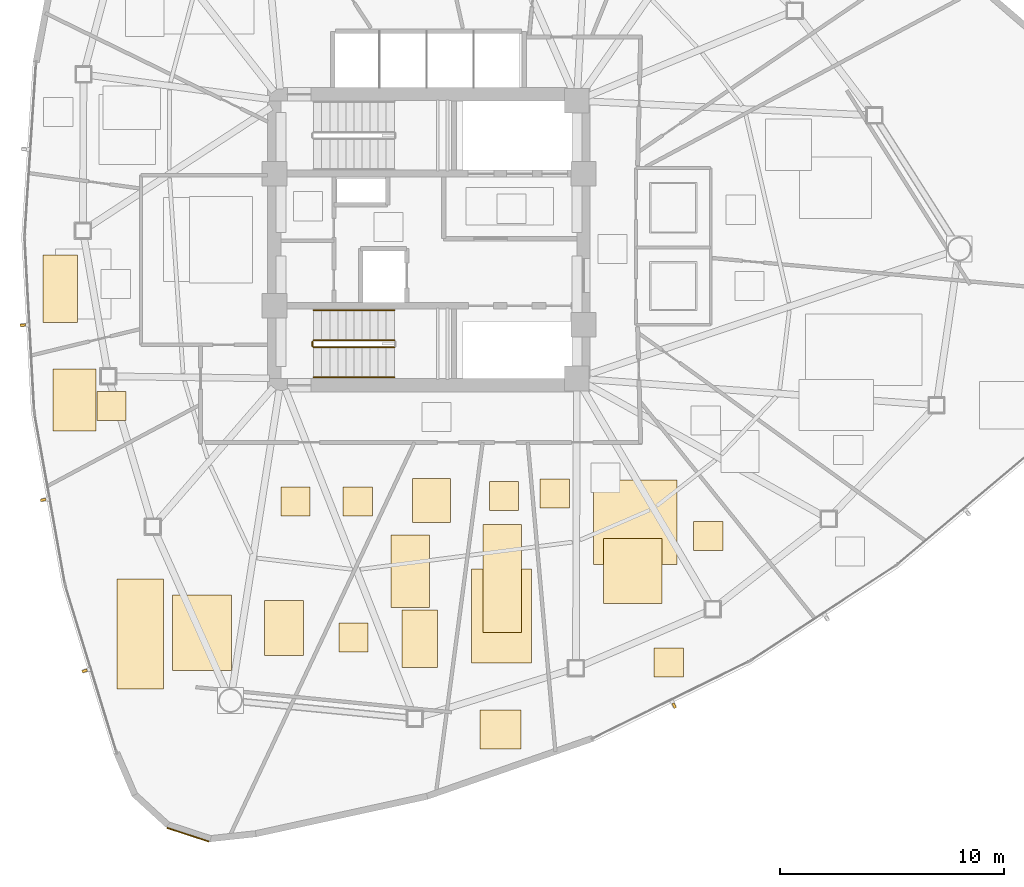
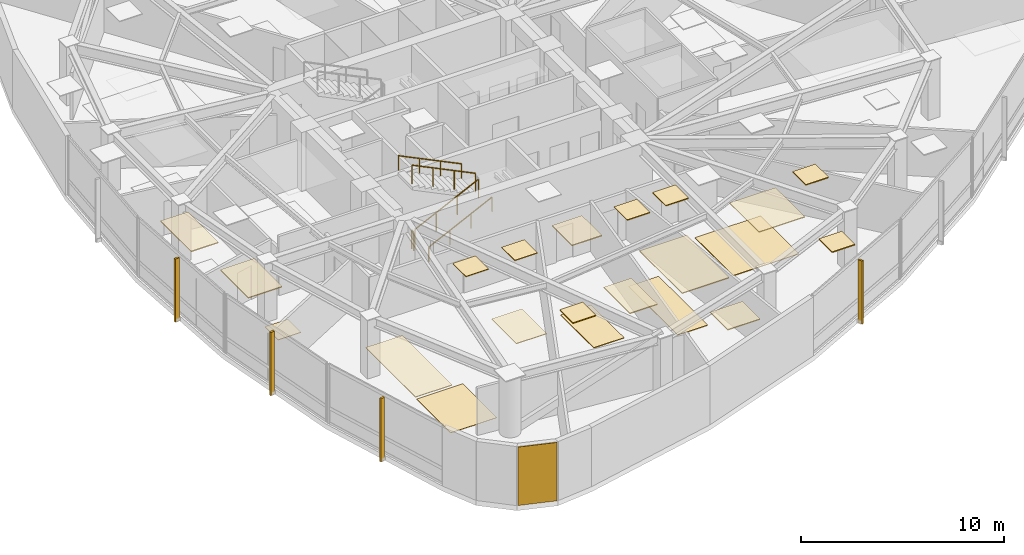
# One storey, part 15 of 18: 22 coverings, 5 railings, 4 shading devices.
"""IFC4 building model written with IfcOpenShell, lengths in metres."""

from ifc_helpers import new_model, si_unit, direction, frame, origin, origin_2d, place, context, subcontext, project, spatial, polyline, rectangle, outline, extrude, source, transform, mapped, material, layer, layer_set, type_object, type_shapes, element, save


model = new_model("IFC4")

# Units and contexts
model_context = context("Model", 3, precision=1e-05, world=origin(), true_north=direction((0.0, 1.0)))
body_context = subcontext(model_context, "Body", "Model", "MODEL_VIEW")
ifc_project = project(units=[si_unit("LENGTHUNIT", "METRE"), si_unit("AREAUNIT", "SQUARE_METRE"), si_unit("VOLUMEUNIT", "CUBIC_METRE"), si_unit("PLANEANGLEUNIT", "RADIAN"), si_unit("MASSUNIT", "GRAM", prefix="KILO")], contexts=[model_context])

# Site, building, storey
site_placement = place(None, origin())
site = spatial("IfcSite", under=ifc_project, at=site_placement, CompositionType="ELEMENT")
building_placement = place(site_placement, origin())
building = spatial("IfcBuilding", under=site, at=building_placement, Name="Tavelor Broadcast Tower", CompositionType="ELEMENT")
storey_placement = place(building_placement, frame((0.0, 0.0, 157.949951171875)))
storey = spatial("IfcBuildingStorey", under=building, at=storey_placement, Name="L37", CompositionType="ELEMENT", Elevation=157.949951171875)

# Covering
ifc_material_1 = material(Name="Copper-Bronze Anodized Aluminium", Category="aluminium")
ifc_layer_1 = layer(ifc_material_1, 0.050048828125)
ifc_layer_set_1 = layer_set([ifc_layer_1], Name="Copper-Bronze Anodized Aluminium")
covering_type_1 = type_object("IfcCoveringType", Name="Champagne-Bronze Corner Pier Metal Cladding 50 mm", PredefinedType="CLADDING", material=ifc_layer_set_1)
covering_1_placement = place(storey_placement, frame((39.242431640625, 18.431396484375, 0.02001953125), z_axis=(0.0, 0.0, 1.0), x_axis=(0.950244253402, -0.311505792684, 0.0)))
element("IfcCovering", 1, at=covering_1_placement, inside=storey, type_object=covering_type_1, Name="L37 Champagne-Bronze Corner Cladding 13", PredefinedType="CLADDING", context=body_context, shape_type="SweptSolid", body=[
    extrude(rectangle(XDim=1.962646484375, YDim=0.050048828125, at=origin_2d()), origin(), (0.0, 0.0, 1.0), 3.510009765625),
])

# Railings
ifc_material_2 = material(Name="Steel S355", Category="steel")
railing_type_1 = type_object("IfcRailingType", Name="Continuous Brushed Stainless Handrail 900 mm", PredefinedType="HANDRAIL", material=ifc_material_2)
railing_1_placement = place(storey_placement, frame((44.85009765625, 38.85009765625, 0.175048828125)))
element("IfcRailing", 2, at=railing_1_placement, inside=storey, type_object=railing_type_1, Name="L37 ST2 stair handrail 1", PredefinedType="HANDRAIL", context=body_context, shape_type="SweptSolid", body=[
    extrude(rectangle(XDim=0.048095703125, YDim=0.048095703125, at=origin_2d()), frame((0.0, 0.0, 0.8759765625), z_axis=(0.899360859046, 0.0, 0.437207096483), x_axis=(0.0, 1.0, 0.0)), (0.0, 0.0, 1.0), 4.002685546875),
    extrude(rectangle(XDim=0.0419921875, YDim=0.0419921875, at=origin_2d()), origin(), (0.0, 0.0, 1.0), 0.851806640625),
    extrude(rectangle(XDim=0.0419921875, YDim=0.0419921875, at=origin_2d()), frame((1.199951171875, 0.0, 0.583251953125)), (0.0, 0.0, 1.0), 0.851806640625),
    extrude(rectangle(XDim=0.0419921875, YDim=0.0419921875, at=origin_2d()), frame((2.39990234375, 0.0, 1.166748046875)), (0.0, 0.0, 1.0), 0.851806640625),
    extrude(rectangle(XDim=0.0419921875, YDim=0.0419921875, at=origin_2d()), frame((3.599853515625, 0.0, 1.75)), (0.0, 0.0, 1.0), 0.851806640625),
])
railing_2_placement = place(storey_placement, frame((48.449951171875, 41.85009765625, 2.10009765625)))
element("IfcRailing", 3, at=railing_2_placement, inside=storey, type_object=railing_type_1, Name="L37 ST2 stair handrail 2", PredefinedType="HANDRAIL", context=body_context, shape_type="SweptSolid", body=[
    extrude(rectangle(XDim=0.048095703125, YDim=0.048095703125, at=origin_2d()), frame((0.0, 0.0, 0.8759765625), z_axis=(-0.899360859046, 0.0, 0.437207096483), x_axis=(0.0, -1.0, 0.0)), (0.0, 0.0, 1.0), 4.002685546875),
    extrude(rectangle(XDim=0.0419921875, YDim=0.0419921875, at=origin_2d()), origin(), (0.0, 0.0, 1.0), 0.851806640625),
    extrude(rectangle(XDim=0.0419921875, YDim=0.0419921875, at=origin_2d()), frame((-1.199951171875, 0.0, 0.583251953125)), (0.0, 0.0, 1.0), 0.851806640625),
    extrude(rectangle(XDim=0.0419921875, YDim=0.0419921875, at=origin_2d()), frame((-2.39990234375, 0.0, 1.166748046875)), (0.0, 0.0, 1.0), 0.851806640625),
    extrude(rectangle(XDim=0.0419921875, YDim=0.0419921875, at=origin_2d()), frame((-3.599853515625, 0.0, 1.75)), (0.0, 0.0, 1.0), 0.851806640625),
])

# Coverings
ifc_material_3 = material(Name="Acoustic Nylon Carpet Tile")
ifc_layer_2 = layer(ifc_material_3, 0.02001953125)
ifc_layer_set_2 = layer_set([ifc_layer_2], Name="Acoustic Nylon Carpet Tile")
covering_type_2 = type_object("IfcCoveringType", Name="Heavy-Duty Acoustic Broadcast Carpet Tile 20 mm", PredefinedType="FLOORING", material=ifc_layer_set_2)
covering_2_placement = place(storey_placement, origin())
element("IfcCovering", 4, at=covering_2_placement, inside=storey, type_object=covering_type_2, Name="L37 Broadcast Floor Finish 0545", PredefinedType="FLOORING", context=body_context, shape_type="SweptSolid", body=[
    extrude(outline(polyline([(38.545654296875, 25.772705078125), (41.174560546875, 25.772705078125), (41.174560546875, 29.132080078125), (38.545654296875, 29.132080078125), (38.545654296875, 25.772705078125)])), origin(), (0.0, 0.0, 1.0), 0.02001953125),
])
ifc_material_4 = material(Name="Acoustic Hardwood Studio Flooring", Category="wood")
ifc_layer_3 = layer(ifc_material_4, 0.034912109375)
ifc_layer_set_3 = layer_set([ifc_layer_3], Name="Acoustic Hardwood Studio Flooring")
covering_type_3 = type_object("IfcCoveringType", Name="Isolated Studio Acoustic Elastomeric Floor Finish 35 mm", PredefinedType="FLOORING", material=ifc_layer_set_3)
covering_3_placement = place(storey_placement, origin())
element("IfcCovering", 5, at=covering_3_placement, inside=storey, type_object=covering_type_3, Name="L37 Broadcast Floor Finish 0542", PredefinedType="FLOORING", context=body_context, shape_type="SweptSolid", body=[
    extrude(outline(polyline([(57.33740234375, 30.497802734375), (61.073486328125, 30.497802734375), (61.073486328125, 34.26025390625), (57.33740234375, 34.26025390625), (57.33740234375, 30.497802734375)])), origin(), (0.0, 0.0, 1.0), 0.03515625),
])
covering_4_placement = place(storey_placement, origin())
element("IfcCovering", 6, at=covering_4_placement, inside=storey, type_object=covering_type_3, Name="L37 Broadcast Floor Finish 0543", PredefinedType="FLOORING", context=body_context, shape_type="SweptSolid", body=[
    extrude(outline(polyline([(52.4169921875, 27.44921875), (54.126708984375, 27.44921875), (54.126708984375, 32.284423828125), (52.4169921875, 32.284423828125), (52.4169921875, 27.44921875)])), origin(), (0.0, 0.0, 1.0), 0.03515625),
])
covering_5_placement = place(storey_placement, origin())
element("IfcCovering", 7, at=covering_5_placement, inside=storey, type_object=covering_type_3, Name="L37 Broadcast Floor Finish 0544", PredefinedType="FLOORING", context=body_context, shape_type="SweptSolid", body=[
    extrude(outline(polyline([(48.293701171875, 28.565185546875), (50.01953125, 28.565185546875), (50.01953125, 31.822509765625), (48.293701171875, 31.822509765625), (48.293701171875, 28.565185546875)])), origin(), (0.0, 0.0, 1.0), 0.03515625),
])
covering_6_placement = place(storey_placement, origin())
element("IfcCovering", 8, at=covering_6_placement, inside=storey, type_object=covering_type_3, Name="L37 Broadcast Floor Finish 0546", PredefinedType="FLOORING", context=body_context, shape_type="SweptSolid", body=[
    extrude(outline(polyline([(35.17431640625, 36.924560546875), (36.474365234375, 36.924560546875), (36.474365234375, 38.224609375), (35.17431640625, 38.224609375), (35.17431640625, 36.924560546875)])), origin(), (0.0, 0.0, 1.0), 0.03515625),
])
ifc_material_5 = material(Name="Acoustic Perforated Timber Baffle", Category="wood")
ifc_layer_4 = layer(ifc_material_5, 0.054931640625)
ifc_layer_set_4 = layer_set([ifc_layer_4], Name="Acoustic Perforated Timber Baffle")
covering_type_4 = type_object("IfcCoveringType", Name="Micro-Perforated Acoustic Baffle Studio Ceiling 55 mm", PredefinedType="CEILING", material=ifc_layer_set_4)
covering_7_placement = place(storey_placement, frame((0.0, 0.0, 3.4951171875)))
element("IfcCovering", 9, at=covering_7_placement, inside=storey, type_object=covering_type_4, Name="L37 Suspended Acoustic Ceiling 1532", PredefinedType="CEILING", context=body_context, shape_type="SweptSolid", body=[
    extrude(outline(polyline([(61.821044921875, 31.12109375), (63.12109375, 31.12109375), (63.12109375, 32.421142578125), (61.821044921875, 32.421142578125), (61.821044921875, 31.12109375)])), origin(), (0.0, 0.0, 1.0), 0.054931640625),
])
covering_8_placement = place(storey_placement, frame((0.0, 0.0, 3.4951171875)))
element("IfcCovering", 10, at=covering_8_placement, inside=storey, type_object=covering_type_4, Name="L37 Suspended Acoustic Ceiling 1533", PredefinedType="CEILING", context=body_context, shape_type="SweptSolid", body=[
    extrude(outline(polyline([(60.05615234375, 25.4736328125), (61.356201171875, 25.4736328125), (61.356201171875, 26.773681640625), (60.05615234375, 26.773681640625), (60.05615234375, 25.4736328125)])), origin(), (0.0, 0.0, 1.0), 0.054931640625),
])
covering_9_placement = place(storey_placement, frame((0.0, 0.0, 3.4951171875)))
element("IfcCovering", 11, at=covering_9_placement, inside=storey, type_object=covering_type_4, Name="L37 Suspended Acoustic Ceiling 1534", PredefinedType="CEILING", context=body_context, shape_type="SweptSolid", body=[
    extrude(outline(polyline([(54.96337890625, 33.01953125), (56.263427734375, 33.01953125), (56.263427734375, 34.319580078125), (54.96337890625, 34.319580078125), (54.96337890625, 33.01953125)])), origin(), (0.0, 0.0, 1.0), 0.054931640625),
])
covering_10_placement = place(storey_placement, frame((0.0, 0.0, 3.4951171875)))
element("IfcCovering", 12, at=covering_10_placement, inside=storey, type_object=covering_type_4, Name="L37 Suspended Acoustic Ceiling 1536", PredefinedType="CEILING", context=body_context, shape_type="SweptSolid", body=[
    extrude(outline(polyline([(57.797607421875, 28.764892578125), (60.40673828125, 28.764892578125), (60.40673828125, 31.652099609375), (57.797607421875, 31.652099609375), (57.797607421875, 28.764892578125)])), origin(), (0.0, 0.0, 1.0), 0.054931640625),
])
covering_11_placement = place(storey_placement, frame((0.0, 0.0, 3.4951171875)))
element("IfcCovering", 13, at=covering_11_placement, inside=storey, type_object=covering_type_4, Name="L37 Suspended Acoustic Ceiling 1537", PredefinedType="CEILING", context=body_context, shape_type="SweptSolid", body=[
    extrude(outline(polyline([(52.701904296875, 32.90478515625), (54.001708984375, 32.90478515625), (54.001708984375, 34.20458984375), (52.701904296875, 34.20458984375), (52.701904296875, 32.90478515625)])), origin(), (0.0, 0.0, 1.0), 0.054931640625),
])
covering_12_placement = place(storey_placement, frame((0.0, 0.0, 3.4951171875)))
element("IfcCovering", 14, at=covering_12_placement, inside=storey, type_object=covering_type_4, Name="L37 Suspended Acoustic Ceiling 1538", PredefinedType="CEILING", context=body_context, shape_type="SweptSolid", body=[
    extrude(outline(polyline([(51.896240234375, 26.1083984375), (54.57470703125, 26.1083984375), (54.57470703125, 30.302001953125), (51.896240234375, 30.302001953125), (51.896240234375, 26.1083984375)])), origin(), (0.0, 0.0, 1.0), 0.054931640625),
])
covering_13_placement = place(storey_placement, frame((0.0, 0.0, 3.4951171875)))
element("IfcCovering", 15, at=covering_13_placement, inside=storey, type_object=covering_type_4, Name="L37 Suspended Acoustic Ceiling 1539", PredefinedType="CEILING", context=body_context, shape_type="SweptSolid", body=[
    extrude(outline(polyline([(52.271240234375, 22.2685546875), (54.11767578125, 22.2685546875), (54.11767578125, 24.006103515625), (52.271240234375, 24.006103515625), (52.271240234375, 22.2685546875)])), origin(), (0.0, 0.0, 1.0), 0.054931640625),
])
covering_14_placement = place(storey_placement, frame((0.0, 0.0, 3.4951171875)))
element("IfcCovering", 16, at=covering_14_placement, inside=storey, type_object=covering_type_4, Name="L37 Suspended Acoustic Ceiling 1540", PredefinedType="CEILING", context=body_context, shape_type="SweptSolid", body=[
    extrude(outline(polyline([(49.257568359375, 32.372314453125), (50.95361328125, 32.372314453125), (50.95361328125, 34.342529296875), (49.257568359375, 34.342529296875), (49.257568359375, 32.372314453125)])), origin(), (0.0, 0.0, 1.0), 0.054931640625),
])
covering_15_placement = place(storey_placement, frame((0.0, 0.0, 3.4951171875)))
element("IfcCovering", 17, at=covering_15_placement, inside=storey, type_object=covering_type_4, Name="L37 Suspended Acoustic Ceiling 1541", PredefinedType="CEILING", context=body_context, shape_type="SweptSolid", body=[
    extrude(outline(polyline([(48.8056640625, 25.896728515625), (50.37646484375, 25.896728515625), (50.37646484375, 28.47412109375), (48.8056640625, 28.47412109375), (48.8056640625, 25.896728515625)])), origin(), (0.0, 0.0, 1.0), 0.054931640625),
])
covering_16_placement = place(storey_placement, frame((0.0, 0.0, 3.4951171875)))
element("IfcCovering", 18, at=covering_16_placement, inside=storey, type_object=covering_type_4, Name="L37 Suspended Acoustic Ceiling 1542", PredefinedType="CEILING", context=body_context, shape_type="SweptSolid", body=[
    extrude(outline(polyline([(45.97265625, 26.587890625), (47.272705078125, 26.587890625), (47.272705078125, 27.887939453125), (45.97265625, 27.887939453125), (45.97265625, 26.587890625)])), origin(), (0.0, 0.0, 1.0), 0.054931640625),
])
covering_17_placement = place(storey_placement, frame((0.0, 0.0, 3.4951171875)))
element("IfcCovering", 19, at=covering_17_placement, inside=storey, type_object=covering_type_4, Name="L37 Suspended Acoustic Ceiling 1547", PredefinedType="CEILING", context=body_context, shape_type="SweptSolid", body=[
    extrude(outline(polyline([(33.20556640625, 36.445556640625), (35.12451171875, 36.445556640625), (35.12451171875, 39.21728515625), (33.20556640625, 39.21728515625), (33.20556640625, 36.445556640625)])), origin(), (0.0, 0.0, 1.0), 0.054931640625),
])
covering_18_placement = place(storey_placement, frame((0.0, 0.0, 3.4951171875)))
element("IfcCovering", 20, at=covering_18_placement, inside=storey, type_object=covering_type_4, Name="L37 Suspended Acoustic Ceiling 1549", PredefinedType="CEILING", context=body_context, shape_type="SweptSolid", body=[
    extrude(outline(polyline([(32.756103515625, 41.30224609375), (34.304443359375, 41.30224609375), (34.304443359375, 44.319580078125), (32.756103515625, 44.319580078125), (32.756103515625, 41.30224609375)])), origin(), (0.0, 0.0, 1.0), 0.054931640625),
])

# Railings
railing_type_2 = type_object("IfcRailingType", Name="Stairwell Steel Safety Guardrail 1150 mm", PredefinedType="GUARDRAIL", material=ifc_material_2)
railing_3_placement = place(storey_placement, frame((44.85009765625, 40.199951171875, 0.175048828125)))
element("IfcRailing", 21, at=railing_3_placement, inside=storey, type_object=railing_type_2, Name="L37 ST2 stair guard 1", PredefinedType="GUARDRAIL", context=body_context, shape_type="SweptSolid", body=[
    extrude(rectangle(XDim=0.048095703125, YDim=0.048095703125, at=origin_2d()), frame((0.0, 0.0, 1.1259765625), z_axis=(0.899360859046, 0.0, 0.437207096483), x_axis=(0.0, 1.0, 0.0)), (0.0, 0.0, 1.0), 4.002685546875),
    extrude(rectangle(XDim=0.0419921875, YDim=0.0419921875, at=origin_2d()), origin(), (0.0, 0.0, 1.0), 1.101806640625),
    extrude(rectangle(XDim=0.0419921875, YDim=0.0419921875, at=origin_2d()), frame((1.199951171875, 0.0, 0.583251953125)), (0.0, 0.0, 1.0), 1.101806640625),
    extrude(rectangle(XDim=0.0419921875, YDim=0.0419921875, at=origin_2d()), frame((2.39990234375, 0.0, 1.166748046875)), (0.0, 0.0, 1.0), 1.101806640625),
    extrude(rectangle(XDim=0.0419921875, YDim=0.0419921875, at=origin_2d()), frame((3.599853515625, 0.0, 1.75)), (0.0, 0.0, 1.0), 1.101806640625),
])
railing_4_placement = place(storey_placement, frame((48.449951171875, 40.5, 2.10009765625)))
element("IfcRailing", 22, at=railing_4_placement, inside=storey, type_object=railing_type_2, Name="L37 ST2 stair guard 3", PredefinedType="GUARDRAIL", context=body_context, shape_type="SweptSolid", body=[
    extrude(rectangle(XDim=0.048095703125, YDim=0.048095703125, at=origin_2d()), frame((0.0, 0.0, 1.1259765625), z_axis=(-0.899360859046, 0.0, 0.437207096483), x_axis=(0.0, -1.0, 0.0)), (0.0, 0.0, 1.0), 4.002685546875),
    extrude(rectangle(XDim=0.0419921875, YDim=0.0419921875, at=origin_2d()), origin(), (0.0, 0.0, 1.0), 1.101806640625),
    extrude(rectangle(XDim=0.0419921875, YDim=0.0419921875, at=origin_2d()), frame((-1.199951171875, 0.0, 0.583251953125)), (0.0, 0.0, 1.0), 1.101806640625),
    extrude(rectangle(XDim=0.0419921875, YDim=0.0419921875, at=origin_2d()), frame((-2.39990234375, 0.0, 1.166748046875)), (0.0, 0.0, 1.0), 1.101806640625),
    extrude(rectangle(XDim=0.0419921875, YDim=0.0419921875, at=origin_2d()), frame((-3.599853515625, 0.0, 1.75)), (0.0, 0.0, 1.0), 1.101806640625),
])
railing_5_placement = place(storey_placement, frame((44.800048828125, 40.25, 0.0)))
element("IfcRailing", 23, at=railing_5_placement, inside=storey, type_object=railing_type_2, Name="L37 ST2 stair guard 4", PredefinedType="GUARDRAIL", context=body_context, shape_type="SweptSolid", body=[
    extrude(rectangle(XDim=0.048095703125, YDim=0.048095703125, at=origin_2d()), frame((0.0, 0.0, 1.1259765625), z_axis=(0.0, 1.0, 0.0), x_axis=(-1.0, 0.0, 0.0)), (0.0, 0.0, 1.0), 0.199951171875),
    extrude(rectangle(XDim=0.0419921875, YDim=0.0419921875, at=origin_2d()), origin(), (0.0, 0.0, 1.0), 1.101806640625),
    extrude(rectangle(XDim=0.0419921875, YDim=0.0419921875, at=origin_2d()), frame((0.0, 0.199951171875, 0.0)), (0.0, 0.0, 1.0), 1.101806640625),
])

# Coverings
ifc_material_6 = material(Name="Acoustic Mineral Fibre Tile")
ifc_layer_5 = layer(ifc_material_6, 0.0400390625)
ifc_layer_set_5 = layer_set([ifc_layer_5], Name="Acoustic Mineral Fibre Tile")
covering_type_5 = type_object("IfcCoveringType", Name="Suspended Acoustic Mineral-Fibre Office Ceiling 40 mm", PredefinedType="CEILING", material=ifc_layer_set_5)
covering_19_placement = place(storey_placement, frame((0.0, 0.0, 3.510009765625)))
element("IfcCovering", 24, at=covering_19_placement, inside=storey, type_object=covering_type_5, Name="L37 Suspended Acoustic Ceiling 1543", PredefinedType="CEILING", context=body_context, shape_type="SweptSolid", body=[
    extrude(outline(polyline([(36.066650390625, 24.944580078125), (38.14990234375, 24.944580078125), (38.14990234375, 29.854248046875), (36.066650390625, 29.854248046875), (36.066650390625, 24.944580078125)])), origin(), (0.0, 0.0, 1.0), 0.0400390625),
])
covering_20_placement = place(storey_placement, frame((0.0, 0.0, 3.510009765625)))
element("IfcCovering", 25, at=covering_20_placement, inside=storey, type_object=covering_type_5, Name="L37 Suspended Acoustic Ceiling 1544", PredefinedType="CEILING", context=body_context, shape_type="SweptSolid", body=[
    extrude(outline(polyline([(43.39013671875, 32.662353515625), (44.690185546875, 32.662353515625), (44.690185546875, 33.96240234375), (43.39013671875, 33.96240234375), (43.39013671875, 32.662353515625)])), origin(), (0.0, 0.0, 1.0), 0.0400390625),
])
covering_21_placement = place(storey_placement, frame((0.0, 0.0, 3.510009765625)))
element("IfcCovering", 26, at=covering_21_placement, inside=storey, type_object=covering_type_5, Name="L37 Suspended Acoustic Ceiling 1545", PredefinedType="CEILING", context=body_context, shape_type="SweptSolid", body=[
    extrude(outline(polyline([(46.167724609375, 32.65673828125), (47.4677734375, 32.65673828125), (47.4677734375, 33.956787109375), (46.167724609375, 33.956787109375), (46.167724609375, 32.65673828125)])), origin(), (0.0, 0.0, 1.0), 0.0400390625),
])
covering_22_placement = place(storey_placement, frame((0.0, 0.0, 3.510009765625)))
element("IfcCovering", 27, at=covering_22_placement, inside=storey, type_object=covering_type_5, Name="L37 Suspended Acoustic Ceiling 1546", PredefinedType="CEILING", context=body_context, shape_type="SweptSolid", body=[
    extrude(outline(polyline([(42.66357421875, 26.4345703125), (44.396484375, 26.4345703125), (44.396484375, 28.881591796875), (42.66357421875, 28.881591796875), (42.66357421875, 26.4345703125)])), origin(), (0.0, 0.0, 1.0), 0.0400390625),
])

# Shading devices
ifc_material_7 = material(Name="Kiln-Fired Glazed Terracotta", Category="masonry")
shading_device_type = type_object("IfcShadingDeviceType", Name="Extruded Terracotta Baguette Sun-Screen 110x240", PredefinedType="JALOUSIE", material=ifc_material_7)
shared_shape = source(origin(), body_context, "Body", "SweptSolid", [
    extrude(rectangle(XDim=0.110107421875, YDim=0.239990234375, at=origin_2d()), origin(), (0.0, 0.0, 1.0), 3.7900390625),
])
type_shapes(shading_device_type, [shared_shape])
for number, where, z_axis, x_axis, name in (
    (28, (31.86279296875, 41.185546875, -0.260009765625), (0.0, 0.0, 1.0), (0.055472980025, -0.998460188734, 0.0), "L37 Terracotta Baguette Fin 374"),
    (29, (32.772705078125, 33.382080078125, -0.260009765625), (0.0, 0.0, 1.0), (0.175882186689, -0.984411223222, 0.0), "L37 Terracotta Baguette Fin 375"),
    (30, (34.620361328125, 25.745849609375, -0.260009765625), (0.0, 0.0, 1.0), (0.293706672624, -0.955895596002, 0.0), "L37 Terracotta Baguette Fin 376"),
    (31, (60.94775390625, 24.189697265625, -0.260009765625), (0.0, 0.0, 1.0), (0.897104200397, 0.441819028143, 0.0), "L37 Terracotta Baguette Fin 377"),
):
    element("IfcShadingDevice", number, at=place(storey_placement, frame(where, z_axis=z_axis, x_axis=x_axis)), inside=storey, type_object=shading_device_type, Name=name, PredefinedType="JALOUSIE", context=body_context, shape_type="MappedRepresentation", body=[
        mapped(shared_shape, transform((0.0, 0.0, 0.0), scale=1.0)),
    ])

save(model, "model.ifc")
